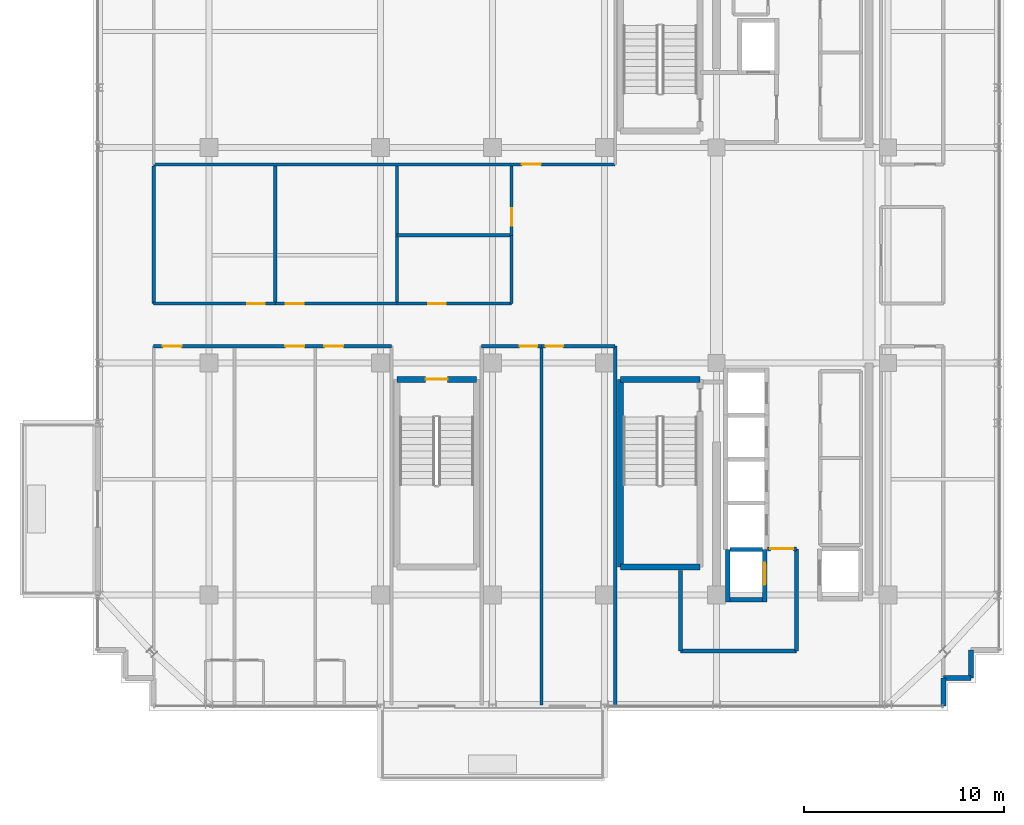
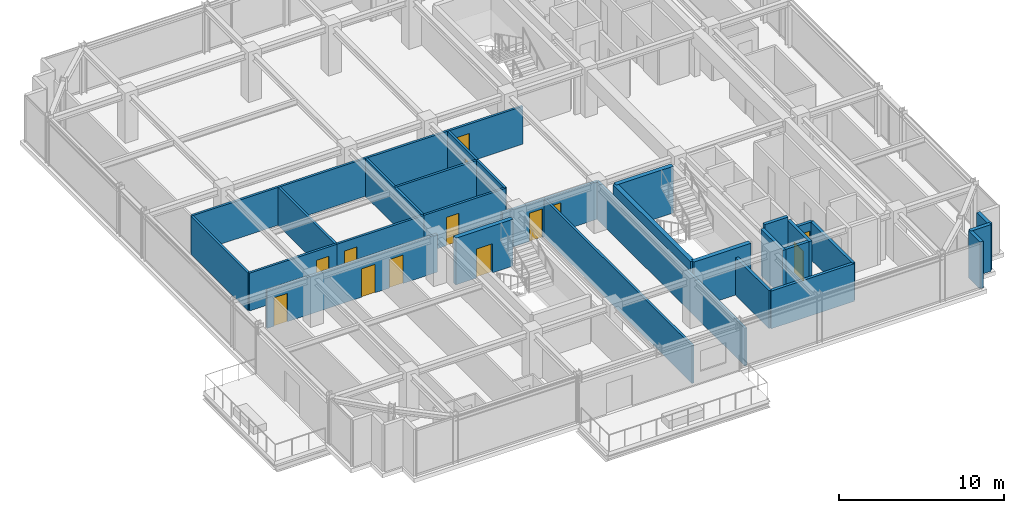
# One storey, part 25 of 31: 30 walls, 13 doors, 13 openings.
"""IFC4 building model written with IfcOpenShell, lengths in metres."""

from ifc_helpers import new_model, si_unit, direction, frame, frame_2d, origin, place, context, subcontext, project, spatial, rectangle, extrude, source, transform, mapped, material, layer, layer_set, type_object, element, fill, save


model = new_model("IFC4")

# Units and contexts
model_context = context("Model", 3, precision=1e-05, world=origin(), true_north=direction((0.0, 1.0)))
body_context = subcontext(model_context, "Body", "Model", "MODEL_VIEW")
ifc_project = project(units=[si_unit("LENGTHUNIT", "METRE"), si_unit("AREAUNIT", "SQUARE_METRE"), si_unit("VOLUMEUNIT", "CUBIC_METRE"), si_unit("PLANEANGLEUNIT", "RADIAN"), si_unit("MASSUNIT", "GRAM", prefix="KILO")], contexts=[model_context])

# Site, building, storey
site_placement = place(None, origin())
site = spatial("IfcSite", under=ifc_project, at=site_placement, CompositionType="ELEMENT")
building_placement = place(site_placement, origin())
building = spatial("IfcBuilding", under=site, at=building_placement, Name="Nahalor Promenade Grand Hotel", CompositionType="ELEMENT")
storey_placement = place(building_placement, frame((0.0, 0.0, 277.550048828125)))
storey = spatial("IfcBuildingStorey", under=building, at=storey_placement, Name="L71", CompositionType="ELEMENT", Elevation=277.550048828125)

# Walls
ifc_material_1 = material(Name="Concrete B-50 (C40/50)", Category="concrete")
ifc_layer_1 = layer(ifc_material_1, 0.300048828125)
ifc_layer_set_1 = layer_set([ifc_layer_1], Name="Concrete B-50 (C40/50)")
wall_type_1 = type_object("IfcWallType", Name="Wall-ShaftShear-300", PredefinedType="SHEAR", material=ifc_layer_set_1)
shared_shape_1 = source(origin(), body_context, "Body", "SweptSolid", [
    extrude(rectangle(XDim=3.97998046875, YDim=0.300048828125, at=frame_2d((1.989990234375, 0.0))), origin(), (0.0, 0.0, 1.0), 3.449951171875),
])
for number, where, z_axis, x_axis, name in (
    (1, (3.610107421875, -15.590087890625, 0.0), (0.0, 0.0, 1.0), (1.0, 0.0, 0.0), "L71 Exit Stair ST2 Shaft Wall S"),
    (2, (3.610107421875, -6.2099609375, 0.0), (0.0, 0.0, 1.0), (1.0, 0.0, 0.0), "L71 Exit Stair ST2 Shaft Wall N"),
):
    element("IfcWall", number, at=place(storey_placement, frame(where, z_axis=z_axis, x_axis=x_axis)), inside=storey, type_object=wall_type_1, Name=name, PredefinedType="SHEAR", context=body_context, shape_type="MappedRepresentation", body=[
        mapped(shared_shape_1, transform((0.0, 0.0, 0.0), scale=1.0)),
    ])

# Wall, opening, door
wall_1_placement = place(storey_placement, frame((-7.590087890625, -6.2099609375, 0.0), z_axis=(0.0, 0.0, 1.0), x_axis=(1.0, 0.0, 0.0)))
wall_1 = element("IfcWall", 3, at=wall_1_placement, inside=storey, type_object=wall_type_1, Name="L71 Exit Stair ST3 Shaft Wall N", PredefinedType="SHEAR", context=body_context, shape_type="MappedRepresentation", body=[
    mapped(shared_shape_1, transform((0.0, 0.0, 0.0), scale=1.0)),
])
opening_1_placement = place(wall_1_placement, frame((1.43994140625, 0.0, 0.0)))
opening_1 = element("IfcOpeningElement", 4, at=opening_1_placement, cuts=wall_1, Name="Opening D-ST1", PredefinedType="OPENING", context=body_context, shape_type="SweptSolid", body=[
    extrude(rectangle(XDim=1.10009765625, YDim=2.14990234375, at=frame_2d((0.550048828125, 1.074951171875))), frame((0.0, 0.159912109375, 0.0), z_axis=(0.0, -1.0, 0.0), x_axis=(1.0, 0.0, 0.0)), (0.0, 0.0, 1.0), 0.320068359375),
])
ifc_material_2 = material(Name="Steel S355JR", Category="steel")
door_type_1 = type_object("IfcDoorType", Name="Door-StairFire-1100", OperationType="NOTDEFINED", PredefinedType="DOOR", material=ifc_material_2)
shared_shape_2 = source(origin(), body_context, "Body", "SweptSolid", [
    extrude(rectangle(XDim=1.10009765625, YDim=2.14990234375, at=frame_2d((0.550048828125, 1.074951171875))), frame((0.0, 0.02490234375, 0.0), z_axis=(0.0, -1.0, 0.0), x_axis=(1.0, 0.0, 0.0)), (0.0, 0.0, 1.0), 0.050048828125),
])
door_1_placement = place(opening_1_placement, frame((1.10009765625, 0.0, 0.0), z_axis=(0.0, 0.0, 1.0), x_axis=(-1.0, 0.0, 0.0)))
door_1 = element("IfcDoor", 5, at=door_1_placement, inside=storey, type_object=door_type_1, Name="DR-STAIR-ST3-L71", OperationType="SINGLE_SWING_RIGHT", OverallHeight=2.14990234375, OverallWidth=1.10009765625, PredefinedType="DOOR", context=body_context, shape_type="MappedRepresentation", body=[
    mapped(shared_shape_2, transform((0.0, 0.0, 0.0), scale=1.0)),
])
fill(opening_1, door_1)

# Walls
shared_shape_3 = source(origin(), body_context, "Body", "SweptSolid", [
    extrude(rectangle(XDim=9.380126953125, YDim=0.300048828125, at=frame_2d((4.68994140625, 0.0))), origin(), (0.0, 0.0, 1.0), 3.449951171875),
])
wall_2_placement = place(storey_placement, frame((3.610107421875, -15.590087890625, 0.0), z_axis=(0.0, 0.0, 1.0), x_axis=(0.0, 1.0, 0.0)))
element("IfcWall", 6, at=wall_2_placement, inside=storey, type_object=wall_type_1, Name="L71 Exit Stair ST2 Shaft Wall W", PredefinedType="SHEAR", context=body_context, shape_type="MappedRepresentation", body=[
    mapped(shared_shape_3, transform((0.0, 0.0, 0.0), scale=1.0)),
])
ifc_layer_2 = layer(ifc_material_1, 0.219970703125)
ifc_layer_set_2 = layer_set([ifc_layer_2], Name="Concrete B-50 (C40/50)")
wall_type_2 = type_object("IfcWallType", Name="Wall-LiftShaft-220", PredefinedType="SHEAR", material=ifc_layer_set_2)
shared_shape_4 = source(origin(), body_context, "Body", "SweptSolid", [
    extrude(rectangle(XDim=2.635009765625, YDim=0.219970703125, at=frame_2d((1.3173828125, 0.0))), origin(), (0.0, 0.0, 1.0), 3.449951171875),
])
wall_3_placement = place(storey_placement, frame((8.97998046875, -17.360107421875, 0.0), z_axis=(0.0, 0.0, 1.0), x_axis=(0.0, 1.0, 0.0)))
element("IfcWall", 7, at=wall_3_placement, inside=storey, type_object=wall_type_2, Name="L71 Lift FL2 Hoistway Wall W", PredefinedType="SHEAR", context=body_context, shape_type="MappedRepresentation", body=[
    mapped(shared_shape_4, transform((0.0, 0.0, 0.0), scale=1.0)),
])

# Wall, opening, door
wall_4_placement = place(storey_placement, frame((10.820068359375, -17.360107421875, 0.0), z_axis=(0.0, 0.0, 1.0), x_axis=(0.0, 1.0, 0.0)))
wall_4 = element("IfcWall", 8, at=wall_4_placement, inside=storey, type_object=wall_type_2, Name="L71 Lift FL2 Hoistway Wall E", PredefinedType="SHEAR", context=body_context, shape_type="MappedRepresentation", body=[
    mapped(shared_shape_4, transform((0.0, 0.0, 0.0), scale=1.0)),
])
opening_2_placement = place(wall_4_placement, frame((0.860107421875, 0.0, 0.0)))
opening_2 = element("IfcOpeningElement", 9, at=opening_2_placement, cuts=wall_4, Name="Opening LD-02", PredefinedType="OPENING", context=body_context, shape_type="SweptSolid", body=[
    extrude(rectangle(XDim=1.10009765625, YDim=2.199951171875, at=frame_2d((0.550048828125, 1.10009765625))), frame((0.0, 0.119873046875, 0.0), z_axis=(0.0, -1.0, 0.0), x_axis=(1.0, 0.0, 0.0)), (0.0, 0.0, 1.0), 0.239990234375),
])
door_type_2 = type_object("IfcDoorType", Name="Door-LiftFF-1100", OperationType="DOUBLE_DOOR_SLIDING", PredefinedType="DOOR", material=ifc_material_2)
shared_shape_5 = source(origin(), body_context, "Body", "SweptSolid", [
    extrude(rectangle(XDim=1.10009765625, YDim=2.199951171875, at=frame_2d((0.550048828125, 1.10009765625))), frame((0.0, 0.02490234375, 0.0), z_axis=(0.0, -1.0, 0.0), x_axis=(1.0, 0.0, 0.0)), (0.0, 0.0, 1.0), 0.050048828125),
])
door_2_placement = place(opening_2_placement, frame((1.10009765625, 0.0, 0.0), z_axis=(0.0, 0.0, 1.0), x_axis=(-1.0, 0.0, 0.0)))
door_2 = element("IfcDoor", 10, at=door_2_placement, inside=storey, type_object=door_type_2, Name="DR-LIFT-FL2-L71", OperationType="DOUBLE_DOOR_SLIDING", OverallHeight=2.199951171875, OverallWidth=1.10009765625, PredefinedType="DOOR", context=body_context, shape_type="MappedRepresentation", body=[
    mapped(shared_shape_5, transform((0.0, 0.0, 0.0), scale=1.0)),
])
fill(opening_2, door_2)

# Walls
shared_shape_6 = source(origin(), body_context, "Body", "SweptSolid", [
    extrude(rectangle(XDim=1.619873046875, YDim=0.219970703125, at=frame_2d((0.81005859375, 0.0))), origin(), (0.0, 0.0, 1.0), 3.449951171875),
])
wall_5_placement = place(storey_placement, frame((9.090087890625, -17.25, 0.0), z_axis=(0.0, 0.0, 1.0), x_axis=(1.0, 0.0, 0.0)))
element("IfcWall", 11, at=wall_5_placement, inside=storey, type_object=wall_type_2, Name="L71 Lift FL2 Hoistway Wall S", PredefinedType="SHEAR", context=body_context, shape_type="MappedRepresentation", body=[
    mapped(shared_shape_6, transform((0.0, 0.0, 0.0), scale=1.0)),
])
shared_shape_7 = source(origin(), body_context, "Body", "SweptSolid", [
    extrude(rectangle(XDim=1.619873046875, YDim=0.219970703125, at=frame_2d((0.81005859375, 0.0))), origin(), (0.0, 0.0, 1.0), 3.75),
])
wall_6_placement = place(storey_placement, frame((9.090087890625, -14.72509765625, 0.0), z_axis=(0.0, 0.0, 1.0), x_axis=(1.0, 0.0, 0.0)))
element("IfcWall", 12, at=wall_6_placement, inside=storey, type_object=wall_type_2, Name="L71 Lift FL2 Hoistway Wall N", PredefinedType="SHEAR", context=body_context, shape_type="MappedRepresentation", body=[
    mapped(shared_shape_7, transform((0.0, 0.0, 0.0), scale=1.0)),
])
ifc_material_3 = material(Name="Concrete B-40 (C32/40)", Category="concrete")
ifc_layer_3 = layer(ifc_material_3, 0.25)
ifc_layer_set_3 = layer_set([ifc_layer_3], Name="Concrete B-40 (C32/40)")
wall_type_3 = type_object("IfcWallType", Name="Wall-BronzePier-250", PredefinedType="STANDARD", material=ifc_layer_set_3)
shared_shape_8 = source(origin(), body_context, "Body", "SweptSolid", [
    extrude(rectangle(XDim=1.400146484375, YDim=0.25, at=frame_2d((0.7001953125, 0.0))), origin(), (0.0, 0.0, 1.0), 3.449951171875),
])
wall_7_placement = place(storey_placement, frame((19.760009765625, -22.56005859375, 0.0), z_axis=(0.0, 0.0, 1.0), x_axis=(0.0, 1.0, 0.0)))
element("IfcWall", 13, at=wall_7_placement, inside=storey, type_object=wall_type_3, Name="W-L71-SR-01", PredefinedType="STANDARD", context=body_context, shape_type="MappedRepresentation", body=[
    mapped(shared_shape_8, transform((0.0, 0.0, 0.0), scale=1.0)),
])
shared_shape_9 = source(origin(), body_context, "Body", "SweptSolid", [
    extrude(rectangle(XDim=1.39990234375, YDim=0.25, at=frame_2d((0.699951171875, 0.0))), origin(), (0.0, 0.0, 1.0), 3.449951171875),
])
for number, where, z_axis, x_axis, name in (
    (14, (19.760009765625, -21.159912109375, 0.0), (0.0, 0.0, 1.0), (1.0, 0.0, 0.0), "W-L71-SR-02"),
    (15, (21.159912109375, -21.159912109375, 0.0), (0.0, 0.0, 1.0), (0.0, 1.0, 0.0), "W-L71-SR-03"),
):
    element("IfcWall", number, at=place(storey_placement, frame(where, z_axis=z_axis, x_axis=x_axis)), inside=storey, type_object=wall_type_3, Name=name, PredefinedType="STANDARD", context=body_context, shape_type="MappedRepresentation", body=[
        mapped(shared_shape_9, transform((0.0, 0.0, 0.0), scale=1.0)),
    ])
ifc_layer_4 = layer(ifc_material_3, 0.199951171875)
ifc_layer_set_4 = layer_set([ifc_layer_4], Name="Concrete B-40 (C32/40)")
wall_type_4 = type_object("IfcWallType", Name="Wall-PartFire-200", PredefinedType="PARTITIONING", material=ifc_layer_set_4)
shared_shape_10 = source(origin(), body_context, "Body", "SweptSolid", [
    extrude(rectangle(XDim=5.81982421875, YDim=0.199951171875, at=frame_2d((2.909912109375, 0.0))), origin(), (0.0, 0.0, 1.0), 2.7900390625),
])
wall_8_placement = place(storey_placement, frame((6.60009765625, -19.800048828125, 0.0), z_axis=(0.0, 0.0, 1.0), x_axis=(1.0, 0.0, 0.0)))
element("IfcWall", 16, at=wall_8_placement, inside=storey, type_object=wall_type_4, Name="W-L71-FF2-S1", PredefinedType="PARTITIONING", context=body_context, shape_type="MappedRepresentation", body=[
    mapped(shared_shape_10, transform((0.0, 0.0, 0.0), scale=1.0)),
])
shared_shape_11 = source(origin(), body_context, "Body", "SweptSolid", [
    extrude(rectangle(XDim=4.030029296875, YDim=0.199951171875, at=frame_2d((2.01513671875, 0.0))), origin(), (0.0, 0.0, 1.0), 2.7900390625),
])
wall_9_placement = place(storey_placement, frame((6.60009765625, -19.800048828125, 0.0), z_axis=(0.0, 0.0, 1.0), x_axis=(0.0, 1.0, 0.0)))
element("IfcWall", 17, at=wall_9_placement, inside=storey, type_object=wall_type_4, Name="W-L71-FF2-W1", PredefinedType="PARTITIONING", context=body_context, shape_type="MappedRepresentation", body=[
    mapped(shared_shape_11, transform((0.0, 0.0, 0.0), scale=1.0)),
])
shared_shape_12 = source(origin(), body_context, "Body", "SweptSolid", [
    extrude(rectangle(XDim=5.10009765625, YDim=0.199951171875, at=frame_2d((2.550048828125, 0.0))), origin(), (0.0, 0.0, 1.0), 2.7900390625),
])
wall_10_placement = place(storey_placement, frame((12.419921875, -19.800048828125, 0.0), z_axis=(0.0, 0.0, 1.0), x_axis=(0.0, 1.0, 0.0)))
element("IfcWall", 18, at=wall_10_placement, inside=storey, type_object=wall_type_4, Name="W-L71-FF2-E", PredefinedType="PARTITIONING", context=body_context, shape_type="MappedRepresentation", body=[
    mapped(shared_shape_12, transform((0.0, 0.0, 0.0), scale=1.0)),
])

# Wall, opening, door
shared_shape_13 = source(origin(), body_context, "Body", "SweptSolid", [
    extrude(rectangle(XDim=1.4599609375, YDim=0.199951171875, at=frame_2d((0.72998046875, 0.0))), origin(), (0.0, 0.0, 1.0), 2.7900390625),
])
wall_11_placement = place(storey_placement, frame((10.9599609375, -14.699951171875, 0.0), z_axis=(0.0, 0.0, 1.0), x_axis=(1.0, 0.0, 0.0)))
wall_11 = element("IfcWall", 19, at=wall_11_placement, inside=storey, type_object=wall_type_4, Name="W-L71-FF2-N1", PredefinedType="PARTITIONING", context=body_context, shape_type="MappedRepresentation", body=[
    mapped(shared_shape_13, transform((0.0, 0.0, 0.0), scale=1.0)),
])
opening_3_placement = place(wall_11_placement, frame((0.14501953125, 0.0, 0.0)))
opening_3 = element("IfcOpeningElement", 20, at=opening_3_placement, cuts=wall_11, Name="Opening D-FF1", PredefinedType="OPENING", context=body_context, shape_type="SweptSolid", body=[
    extrude(rectangle(XDim=1.14990234375, YDim=2.14990234375, at=frame_2d((0.574951171875, 1.074951171875))), frame((0.0, 0.10986328125, 0.0), z_axis=(0.0, -1.0, 0.0), x_axis=(1.0, 0.0, 0.0)), (0.0, 0.0, 1.0), 0.219970703125),
])
door_type_3 = type_object("IfcDoorType", Name="Door-FFLobby-1150", OperationType="NOTDEFINED", PredefinedType="DOOR", material=ifc_material_2)
shared_shape_14 = source(origin(), body_context, "Body", "SweptSolid", [
    extrude(rectangle(XDim=1.14990234375, YDim=2.14990234375, at=frame_2d((0.574951171875, 1.074951171875))), frame((0.0, 0.02490234375, 0.0), z_axis=(0.0, -1.0, 0.0), x_axis=(1.0, 0.0, 0.0)), (0.0, 0.0, 1.0), 0.050048828125),
])
door_3_placement = place(opening_3_placement, origin())
door_3 = element("IfcDoor", 21, at=door_3_placement, inside=storey, type_object=door_type_3, Name="DR-L71-FFL2", OperationType="SINGLE_SWING_RIGHT", OverallHeight=2.14990234375, OverallWidth=1.14990234375, PredefinedType="DOOR", context=body_context, shape_type="MappedRepresentation", body=[
    mapped(shared_shape_14, transform((0.0, 0.0, 0.0), scale=1.0)),
])
fill(opening_3, door_3)

# Walls
ifc_material_4 = material(Name="Acoustic Mineral Gypsum", Category="gypsum")
ifc_layer_5 = layer(ifc_material_4, 0.159912109375)
ifc_layer_set_5 = layer_set([ifc_layer_5], Name="Acoustic Mineral Gypsum")
wall_type_5 = type_object("IfcWallType", Name="Wall-PartCorridor-160", PredefinedType="PARTITIONING", material=ifc_layer_set_5)
shared_shape_15 = source(origin(), body_context, "Body", "SweptSolid", [
    extrude(rectangle(XDim=17.949951171875, YDim=0.159912109375, at=frame_2d((8.97509765625, 0.0))), origin(), (0.0, 0.0, 1.0), 2.7900390625),
])
for number, where, z_axis, x_axis, name in (
    (22, (-0.35009765625, -22.5, 0.0), (0.0, 0.0, 1.0), (0.0, 1.0, 0.0), "W-L71-SCB1-E"),
    (23, (3.340087890625, -22.5, 0.0), (0.0, 0.0, 1.0), (0.0, 1.0, 0.0), "W-L71-SCB2-E"),
):
    element("IfcWall", number, at=place(storey_placement, frame(where, z_axis=z_axis, x_axis=x_axis)), inside=storey, type_object=wall_type_5, Name=name, PredefinedType="PARTITIONING", context=body_context, shape_type="MappedRepresentation", body=[
        mapped(shared_shape_15, transform((0.0, 0.0, 0.0), scale=1.0)),
    ])

# Wall, opening, door
shared_shape_16 = source(origin(), body_context, "Body", "SweptSolid", [
    extrude(rectangle(XDim=23.10009765625, YDim=0.159912109375, at=frame_2d((11.550048828125, 0.0))), origin(), (0.0, 0.0, 1.0), 2.7900390625),
])
wall_12_placement = place(storey_placement, frame((-19.760009765625, 4.550048828125, 0.0), z_axis=(0.0, 0.0, 1.0), x_axis=(1.0, 0.0, 0.0)))
wall_12 = element("IfcWall", 24, at=wall_12_placement, inside=storey, type_object=wall_type_5, Name="W-L71-CORR-N", PredefinedType="PARTITIONING", context=body_context, shape_type="MappedRepresentation", body=[
    mapped(shared_shape_16, transform((0.0, 0.0, 0.0), scale=1.0)),
])
opening_4_placement = place(wall_12_placement, frame((18.43505859375, 0.0, 0.0)))
opening_4 = element("IfcOpeningElement", 25, at=opening_4_placement, cuts=wall_12, Name="Opening D-01", PredefinedType="OPENING", context=body_context, shape_type="SweptSolid", body=[
    extrude(rectangle(XDim=0.949951171875, YDim=2.10009765625, at=frame_2d((0.47509765625, 1.050048828125))), frame((0.0, 0.08984375, 0.0), z_axis=(0.0, -1.0, 0.0), x_axis=(1.0, 0.0, 0.0)), (0.0, 0.0, 1.0), 0.179931640625),
])
ifc_material_5 = material(Name="Fire-Rated Timber Composite", Category="wood")
door_type_4 = type_object("IfcDoorType", Name="Door-GuestEntry-950", OperationType="NOTDEFINED", PredefinedType="DOOR", material=ifc_material_5)
shared_shape_17 = source(origin(), body_context, "Body", "SweptSolid", [
    extrude(rectangle(XDim=0.949951171875, YDim=2.10009765625, at=frame_2d((0.47509765625, 1.050048828125))), frame((0.0, 0.02490234375, 0.0), z_axis=(0.0, -1.0, 0.0), x_axis=(1.0, 0.0, 0.0)), (0.0, 0.0, 1.0), 0.050048828125),
])
door_4_placement = place(opening_4_placement, origin())
door_4 = element("IfcDoor", 26, at=door_4_placement, inside=storey, type_object=door_type_4, Name="DR-L71-N1-ENT", OperationType="SINGLE_SWING_RIGHT", OverallHeight=2.10009765625, OverallWidth=0.949951171875, PredefinedType="DOOR", context=body_context, shape_type="MappedRepresentation", body=[
    mapped(shared_shape_17, transform((0.0, 0.0, 0.0), scale=1.0)),
])
fill(opening_4, door_4)

# Wall, openings, doors
shared_shape_18 = source(origin(), body_context, "Body", "SweptSolid", [
    extrude(rectangle(XDim=11.89990234375, YDim=0.159912109375, at=frame_2d((5.949951171875, 0.0))), origin(), (0.0, 0.0, 1.0), 2.7900390625),
])
wall_13_placement = place(storey_placement, frame((-19.760009765625, -4.550048828125, 0.0), z_axis=(0.0, 0.0, 1.0), x_axis=(1.0, 0.0, 0.0)))
wall_13 = element("IfcWall", 27, at=wall_13_placement, inside=storey, type_object=wall_type_5, Name="W-L71-CORR-S", PredefinedType="PARTITIONING", context=body_context, shape_type="MappedRepresentation", body=[
    mapped(shared_shape_18, transform((0.0, 0.0, 0.0), scale=1.0)),
])
opening_5_placement = place(wall_13_placement, frame((0.455078125, 0.0, 0.0)))
opening_5 = element("IfcOpeningElement", 28, at=opening_5_placement, cuts=wall_13, Name="Opening D-01", PredefinedType="OPENING", context=body_context, shape_type="SweptSolid", body=[
    extrude(rectangle(XDim=0.949951171875, YDim=2.10009765625, at=frame_2d((0.47509765625, 1.050048828125))), frame((0.0, 0.08984375, 0.0), z_axis=(0.0, -1.0, 0.0), x_axis=(1.0, 0.0, 0.0)), (0.0, 0.0, 1.0), 0.179931640625),
])
opening_6_placement = place(wall_13_placement, frame((6.587890625, 0.0, 0.0)))
opening_6 = element("IfcOpeningElement", 29, at=opening_6_placement, cuts=wall_13, Name="Opening D-01", PredefinedType="OPENING", context=body_context, shape_type="SweptSolid", body=[
    extrude(rectangle(XDim=0.949951171875, YDim=2.10009765625, at=frame_2d((0.47509765625, 1.050048828125))), frame((0.0, 0.08984375, 0.0), z_axis=(0.0, -1.0, 0.0), x_axis=(1.0, 0.0, 0.0)), (0.0, 0.0, 1.0), 0.179931640625),
])
opening_7_placement = place(wall_13_placement, frame((8.5419921875, 0.0, 0.0)))
opening_7 = element("IfcOpeningElement", 30, at=opening_7_placement, cuts=wall_13, Name="Opening D-01", PredefinedType="OPENING", context=body_context, shape_type="SweptSolid", body=[
    extrude(rectangle(XDim=0.949951171875, YDim=2.10009765625, at=frame_2d((0.47509765625, 1.050048828125))), frame((0.0, 0.08984375, 0.0), z_axis=(0.0, -1.0, 0.0), x_axis=(1.0, 0.0, 0.0)), (0.0, 0.0, 1.0), 0.179931640625),
])
door_5_placement = place(opening_5_placement, frame((0.949951171875, 0.0, 0.0), z_axis=(0.0, 0.0, 1.0), x_axis=(-1.0, 0.0, 0.0)))
door_5 = element("IfcDoor", 31, at=door_5_placement, inside=storey, type_object=door_type_4, Name="DR-L71-S1-ENT", OperationType="SINGLE_SWING_RIGHT", OverallHeight=2.10009765625, OverallWidth=0.949951171875, PredefinedType="DOOR", context=body_context, shape_type="MappedRepresentation", body=[
    mapped(shared_shape_17, transform((0.0, 0.0, 0.0), scale=1.0)),
])
fill(opening_5, door_5)
door_6_placement = place(opening_6_placement, frame((0.949951171875, 0.0, 0.0), z_axis=(0.0, 0.0, 1.0), x_axis=(-1.0, 0.0, 0.0)))
door_6 = element("IfcDoor", 32, at=door_6_placement, inside=storey, type_object=door_type_4, Name="DR-L71-S2-ENT", OperationType="SINGLE_SWING_RIGHT", OverallHeight=2.10009765625, OverallWidth=0.949951171875, PredefinedType="DOOR", context=body_context, shape_type="MappedRepresentation", body=[
    mapped(shared_shape_17, transform((0.0, 0.0, 0.0), scale=1.0)),
])
fill(opening_6, door_6)
door_7_placement = place(opening_7_placement, frame((0.949951171875, 0.0, 0.0), z_axis=(0.0, 0.0, 1.0), x_axis=(-1.0, 0.0, 0.0)))
door_7 = element("IfcDoor", 33, at=door_7_placement, inside=storey, type_object=door_type_4, Name="DR-L71-S3-ENT", OperationType="SINGLE_SWING_RIGHT", OverallHeight=2.10009765625, OverallWidth=0.949951171875, PredefinedType="DOOR", context=body_context, shape_type="MappedRepresentation", body=[
    mapped(shared_shape_17, transform((0.0, 0.0, 0.0), scale=1.0)),
])
fill(opening_7, door_7)

# Wall, opening, door
shared_shape_19 = source(origin(), body_context, "Body", "SweptSolid", [
    extrude(rectangle(XDim=2.989990234375, YDim=0.159912109375, at=frame_2d((1.4951171875, 0.0))), origin(), (0.0, 0.0, 1.0), 2.7900390625),
])
wall_14_placement = place(storey_placement, frame((-3.340087890625, -4.550048828125, 0.0), z_axis=(0.0, 0.0, 1.0), x_axis=(1.0, 0.0, 0.0)))
wall_14 = element("IfcWall", 34, at=wall_14_placement, inside=storey, type_object=wall_type_5, Name="W-L71-SCB1-N", PredefinedType="PARTITIONING", context=body_context, shape_type="MappedRepresentation", body=[
    mapped(shared_shape_19, transform((0.0, 0.0, 0.0), scale=1.0)),
])
opening_8_placement = place(wall_14_placement, frame((1.89990234375, 0.0, 0.0)))
opening_8 = element("IfcOpeningElement", 35, at=opening_8_placement, cuts=wall_14, Name="Opening D-03", PredefinedType="OPENING", context=body_context, shape_type="SweptSolid", body=[
    extrude(rectangle(XDim=0.8798828125, YDim=2.10009765625, at=frame_2d((0.43994140625, 1.050048828125))), frame((0.0, 0.08984375, 0.0), z_axis=(0.0, -1.0, 0.0), x_axis=(1.0, 0.0, 0.0)), (0.0, 0.0, 1.0), 0.179931640625),
])
door_type_5 = type_object("IfcDoorType", Name="Door-BathSwing-880", OperationType="NOTDEFINED", PredefinedType="DOOR", material=ifc_material_5)
shared_shape_20 = source(origin(), body_context, "Body", "SweptSolid", [
    extrude(rectangle(XDim=0.8798828125, YDim=2.10009765625, at=frame_2d((0.43994140625, 1.050048828125))), frame((0.0, 0.02490234375, 0.0), z_axis=(0.0, -1.0, 0.0), x_axis=(1.0, 0.0, 0.0)), (0.0, 0.0, 1.0), 0.050048828125),
])
door_8_placement = place(opening_8_placement, frame((0.8798828125, 0.0, 0.0), z_axis=(0.0, 0.0, 1.0), x_axis=(-1.0, 0.0, 0.0)))
door_8 = element("IfcDoor", 36, at=door_8_placement, inside=storey, type_object=door_type_5, Name="DR-L71-SCB1", OperationType="SINGLE_SWING_LEFT", OverallHeight=2.10009765625, OverallWidth=0.8798828125, PredefinedType="DOOR", context=body_context, shape_type="MappedRepresentation", body=[
    mapped(shared_shape_20, transform((0.0, 0.0, 0.0), scale=1.0)),
])
fill(opening_8, door_8)

shared_shape_21 = source(origin(), body_context, "Body", "SweptSolid", [
    extrude(rectangle(XDim=3.690185546875, YDim=0.159912109375, at=frame_2d((1.84521484375, 0.0))), origin(), (0.0, 0.0, 1.0), 2.7900390625),
])
wall_15_placement = place(storey_placement, frame((-0.35009765625, -4.550048828125, 0.0), z_axis=(0.0, 0.0, 1.0), x_axis=(1.0, 0.0, 0.0)))
wall_15 = element("IfcWall", 37, at=wall_15_placement, inside=storey, type_object=wall_type_5, Name="W-L71-SCB2-N", PredefinedType="PARTITIONING", context=body_context, shape_type="MappedRepresentation", body=[
    mapped(shared_shape_21, transform((0.0, 0.0, 0.0), scale=1.0)),
])
opening_9_placement = place(wall_15_placement, frame((0.2099609375, 0.0, 0.0)))
opening_9 = element("IfcOpeningElement", 38, at=opening_9_placement, cuts=wall_15, Name="Opening D-03", PredefinedType="OPENING", context=body_context, shape_type="SweptSolid", body=[
    extrude(rectangle(XDim=0.8798828125, YDim=2.10009765625, at=frame_2d((0.43994140625, 1.050048828125))), frame((0.0, 0.08984375, 0.0), z_axis=(0.0, -1.0, 0.0), x_axis=(1.0, 0.0, 0.0)), (0.0, 0.0, 1.0), 0.179931640625),
])
door_9_placement = place(opening_9_placement, frame((0.8798828125, 0.0, 0.0), z_axis=(0.0, 0.0, 1.0), x_axis=(-1.0, 0.0, 0.0)))
door_9 = element("IfcDoor", 39, at=door_9_placement, inside=storey, type_object=door_type_5, Name="DR-L71-SCB2", OperationType="SINGLE_SWING_RIGHT", OverallHeight=2.10009765625, OverallWidth=0.8798828125, PredefinedType="DOOR", context=body_context, shape_type="MappedRepresentation", body=[
    mapped(shared_shape_20, transform((0.0, 0.0, 0.0), scale=1.0)),
])
fill(opening_9, door_9)

shared_shape_22 = source(origin(), body_context, "Body", "SweptSolid", [
    extrude(rectangle(XDim=6.089111328125, YDim=0.159912109375, at=frame_2d((3.04443359375, 0.0))), origin(), (0.0, 0.0, 1.0), 2.7900390625),
])
wall_16_placement = place(storey_placement, frame((-19.760009765625, -2.419921875, 0.0), z_axis=(0.0, 0.0, 1.0), x_axis=(1.0, 0.0, 0.0)))
wall_16 = element("IfcWall", 40, at=wall_16_placement, inside=storey, type_object=wall_type_5, Name="W-L71-ZW1-S", PredefinedType="PARTITIONING", context=body_context, shape_type="MappedRepresentation", body=[
    mapped(shared_shape_22, transform((0.0, 0.0, 0.0), scale=1.0)),
])
opening_10_placement = place(wall_16_placement, frame((4.675048828125, 0.0, 0.0)))
opening_10 = element("IfcOpeningElement", 41, at=opening_10_placement, cuts=wall_16, Name="Opening D-03", PredefinedType="OPENING", context=body_context, shape_type="SweptSolid", body=[
    extrude(rectangle(XDim=0.8798828125, YDim=2.10009765625, at=frame_2d((0.43994140625, 1.050048828125))), frame((0.0, 0.08984375, 0.0), z_axis=(0.0, -1.0, 0.0), x_axis=(1.0, 0.0, 0.0)), (0.0, 0.0, 1.0), 0.179931640625),
])
door_10_placement = place(opening_10_placement, origin())
door_10 = element("IfcDoor", 42, at=door_10_placement, inside=storey, type_object=door_type_5, Name="DR-L71-ZW1", OperationType="SINGLE_SWING_LEFT", OverallHeight=2.10009765625, OverallWidth=0.8798828125, PredefinedType="DOOR", context=body_context, shape_type="MappedRepresentation", body=[
    mapped(shared_shape_20, transform((0.0, 0.0, 0.0), scale=1.0)),
])
fill(opening_10, door_10)

# Walls
shared_shape_23 = source(origin(), body_context, "Body", "SweptSolid", [
    extrude(rectangle(XDim=6.889892578125, YDim=0.159912109375, at=frame_2d((3.44482421875, 0.0))), origin(), (0.0, 0.0, 1.0), 2.7900390625),
])
for number, where, z_axis, x_axis, name in (
    (43, (-19.760009765625, -2.419921875, 0.0), (0.0, 0.0, 1.0), (0.0, 1.0, 0.0), "W-L71-ZW1-W"),
    (44, (-13.6708984375, -2.419921875, 0.0), (0.0, 0.0, 1.0), (0.0, 1.0, 0.0), "W-L71-ZW1-E"),
    (45, (-7.5810546875, -2.419921875, 0.0), (0.0, 0.0, 1.0), (0.0, 1.0, 0.0), "W-L71-ZW2-E"),
):
    element("IfcWall", number, at=place(storey_placement, frame(where, z_axis=z_axis, x_axis=x_axis)), inside=storey, type_object=wall_type_5, Name=name, PredefinedType="PARTITIONING", context=body_context, shape_type="MappedRepresentation", body=[
        mapped(shared_shape_23, transform((0.0, 0.0, 0.0), scale=1.0)),
    ])

# Wall, opening, door
shared_shape_24 = source(origin(), body_context, "Body", "SweptSolid", [
    extrude(rectangle(XDim=6.08984375, YDim=0.159912109375, at=frame_2d((3.044921875, 0.0))), origin(), (0.0, 0.0, 1.0), 2.7900390625),
])
wall_17_placement = place(storey_placement, frame((-13.6708984375, -2.419921875, 0.0), z_axis=(0.0, 0.0, 1.0), x_axis=(1.0, 0.0, 0.0)))
wall_17 = element("IfcWall", 46, at=wall_17_placement, inside=storey, type_object=wall_type_5, Name="W-L71-ZW2-S", PredefinedType="PARTITIONING", context=body_context, shape_type="MappedRepresentation", body=[
    mapped(shared_shape_24, transform((0.0, 0.0, 0.0), scale=1.0)),
])
opening_11_placement = place(wall_17_placement, frame((0.533935546875, 0.0, 0.0)))
opening_11 = element("IfcOpeningElement", 47, at=opening_11_placement, cuts=wall_17, Name="Opening D-03", PredefinedType="OPENING", context=body_context, shape_type="SweptSolid", body=[
    extrude(rectangle(XDim=0.8798828125, YDim=2.10009765625, at=frame_2d((0.43994140625, 1.050048828125))), frame((0.0, 0.08984375, 0.0), z_axis=(0.0, -1.0, 0.0), x_axis=(1.0, 0.0, 0.0)), (0.0, 0.0, 1.0), 0.179931640625),
])
door_11_placement = place(opening_11_placement, origin())
door_11 = element("IfcDoor", 48, at=door_11_placement, inside=storey, type_object=door_type_5, Name="DR-L71-ZW2", OperationType="SINGLE_SWING_RIGHT", OverallHeight=2.10009765625, OverallWidth=0.8798828125, PredefinedType="DOOR", context=body_context, shape_type="MappedRepresentation", body=[
    mapped(shared_shape_20, transform((0.0, 0.0, 0.0), scale=1.0)),
])
fill(opening_11, door_11)

shared_shape_25 = source(origin(), body_context, "Body", "SweptSolid", [
    extrude(rectangle(XDim=5.73095703125, YDim=0.159912109375, at=frame_2d((2.865478515625, 0.0))), origin(), (0.0, 0.0, 1.0), 2.7900390625),
])
wall_18_placement = place(storey_placement, frame((-7.5810546875, -2.419921875, 0.0), z_axis=(0.0, 0.0, 1.0), x_axis=(1.0, 0.0, 0.0)))
wall_18 = element("IfcWall", 49, at=wall_18_placement, inside=storey, type_object=wall_type_5, Name="W-L71-ZW3-S", PredefinedType="PARTITIONING", context=body_context, shape_type="MappedRepresentation", body=[
    mapped(shared_shape_25, transform((0.0, 0.0, 0.0), scale=1.0)),
])
opening_12_placement = place(wall_18_placement, frame((1.56201171875, 0.0, 0.0)))
opening_12 = element("IfcOpeningElement", 50, at=opening_12_placement, cuts=wall_18, Name="Opening D-03", PredefinedType="OPENING", context=body_context, shape_type="SweptSolid", body=[
    extrude(rectangle(XDim=0.8798828125, YDim=2.10009765625, at=frame_2d((0.43994140625, 1.050048828125))), frame((0.0, 0.08984375, 0.0), z_axis=(0.0, -1.0, 0.0), x_axis=(1.0, 0.0, 0.0)), (0.0, 0.0, 1.0), 0.179931640625),
])
door_12_placement = place(opening_12_placement, origin())
door_12 = element("IfcDoor", 51, at=door_12_placement, inside=storey, type_object=door_type_5, Name="DR-L71-ZW3", OperationType="SINGLE_SWING_LEFT", OverallHeight=2.10009765625, OverallWidth=0.8798828125, PredefinedType="DOOR", context=body_context, shape_type="MappedRepresentation", body=[
    mapped(shared_shape_20, transform((0.0, 0.0, 0.0), scale=1.0)),
])
fill(opening_12, door_12)

# Walls
wall_19_placement = place(storey_placement, frame((-7.5810546875, 1.0, 0.0), z_axis=(0.0, 0.0, 1.0), x_axis=(1.0, 0.0, 0.0)))
element("IfcWall", 52, at=wall_19_placement, inside=storey, type_object=wall_type_5, Name="W-L71-ZW3-N", PredefinedType="PARTITIONING", context=body_context, shape_type="MappedRepresentation", body=[
    mapped(shared_shape_25, transform((0.0, 0.0, 0.0), scale=1.0)),
])
shared_shape_26 = source(origin(), body_context, "Body", "SweptSolid", [
    extrude(rectangle(XDim=3.419921875, YDim=0.159912109375, at=frame_2d((1.7099609375, 0.0))), origin(), (0.0, 0.0, 1.0), 2.7900390625),
])
wall_20_placement = place(storey_placement, frame((-1.85009765625, -2.419921875, 0.0), z_axis=(0.0, 0.0, 1.0), x_axis=(0.0, 1.0, 0.0)))
element("IfcWall", 53, at=wall_20_placement, inside=storey, type_object=wall_type_5, Name="W-L71-ZW3-E", PredefinedType="PARTITIONING", context=body_context, shape_type="MappedRepresentation", body=[
    mapped(shared_shape_26, transform((0.0, 0.0, 0.0), scale=1.0)),
])

# Wall, opening, door
shared_shape_27 = source(origin(), body_context, "Body", "SweptSolid", [
    extrude(rectangle(XDim=3.469970703125, YDim=0.159912109375, at=frame_2d((1.73486328125, 0.0))), origin(), (0.0, 0.0, 1.0), 2.7900390625),
])
wall_21_placement = place(storey_placement, frame((-1.85009765625, 1.0, 0.0), z_axis=(0.0, 0.0, 1.0), x_axis=(0.0, 1.0, 0.0)))
wall_21 = element("IfcWall", 54, at=wall_21_placement, inside=storey, type_object=wall_type_5, Name="W-L71-ZW4-E", PredefinedType="PARTITIONING", context=body_context, shape_type="MappedRepresentation", body=[
    mapped(shared_shape_27, transform((0.0, 0.0, 0.0), scale=1.0)),
])
opening_13_placement = place(wall_21_placement, frame((0.48095703125, 0.0, 0.0)))
opening_13 = element("IfcOpeningElement", 55, at=opening_13_placement, cuts=wall_21, Name="Opening D-03", PredefinedType="OPENING", context=body_context, shape_type="SweptSolid", body=[
    extrude(rectangle(XDim=0.8798828125, YDim=2.10009765625, at=frame_2d((0.43994140625, 1.050048828125))), frame((0.0, 0.08984375, 0.0), z_axis=(0.0, -1.0, 0.0), x_axis=(1.0, 0.0, 0.0)), (0.0, 0.0, 1.0), 0.179931640625),
])
door_13_placement = place(opening_13_placement, origin())
door_13 = element("IfcDoor", 56, at=door_13_placement, inside=storey, type_object=door_type_5, Name="DR-L71-ZW4", OperationType="SINGLE_SWING_RIGHT", OverallHeight=2.10009765625, OverallWidth=0.8798828125, PredefinedType="DOOR", context=body_context, shape_type="MappedRepresentation", body=[
    mapped(shared_shape_20, transform((0.0, 0.0, 0.0), scale=1.0)),
])
fill(opening_13, door_13)

save(model, "model.ifc")
